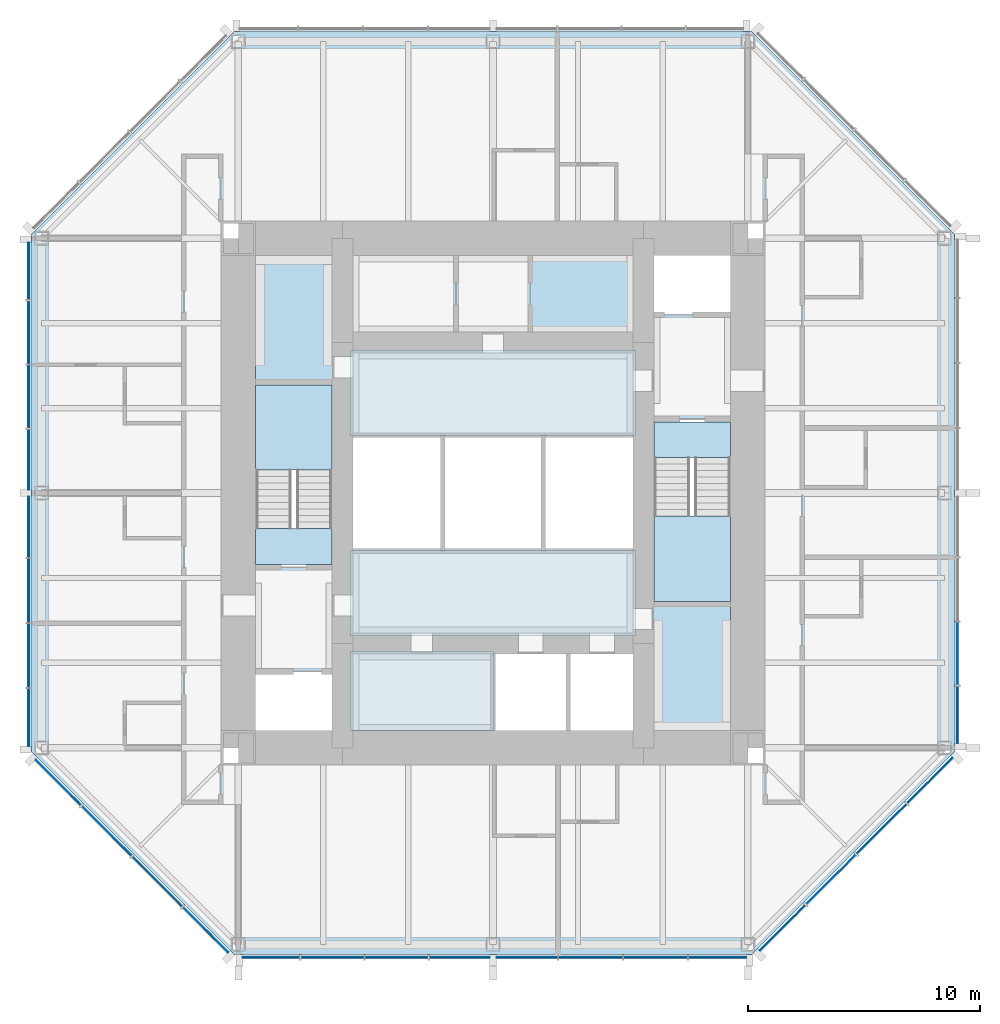
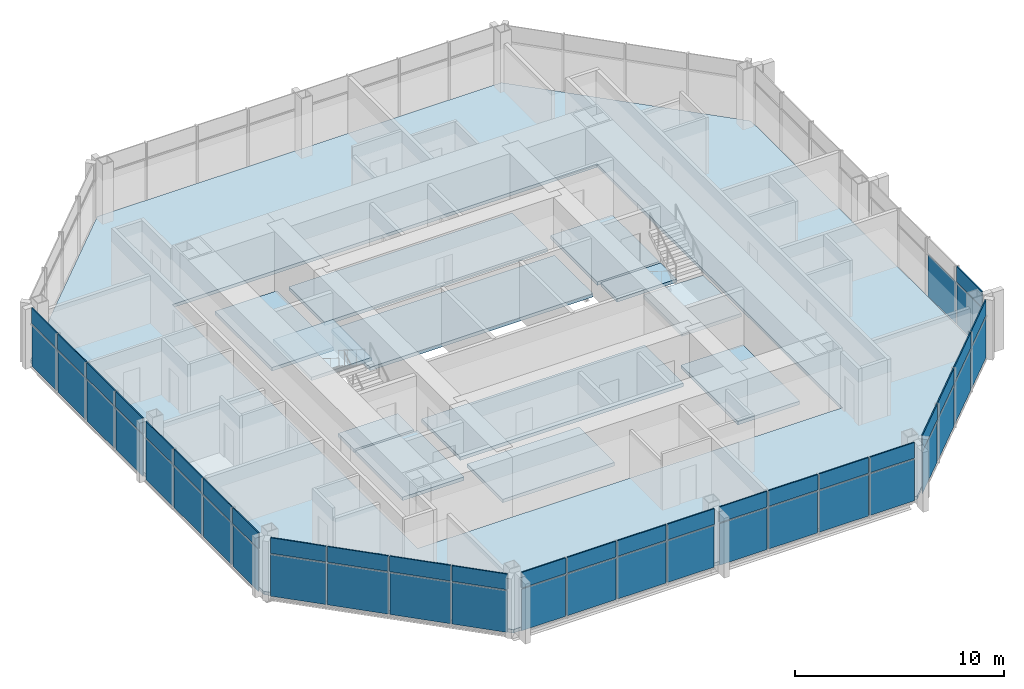
# One storey, part 6 of 11: 51 plates, 13 slabs, 7 elements without a shape of their own.
"""IFC4 building model written with IfcOpenShell, lengths in metres."""

from ifc_helpers import new_model, si_unit, direction, frame, origin, origin_2d, place, context, subcontext, project, spatial, polyline, rectangle, outline, extrude, material, layer, layer_set, type_object, element, aggregate, save


model = new_model("IFC4")

# Units and contexts
model_context = context("Model", 3, precision=1e-05, world=origin(), true_north=direction((0.0, 1.0)))
body_context = subcontext(model_context, "Body", "Model", "MODEL_VIEW")
ifc_project = project(units=[si_unit("LENGTHUNIT", "METRE"), si_unit("AREAUNIT", "SQUARE_METRE"), si_unit("VOLUMEUNIT", "CUBIC_METRE"), si_unit("PLANEANGLEUNIT", "RADIAN"), si_unit("MASSUNIT", "GRAM", prefix="KILO")], contexts=[model_context])

# Site, building, storey
site_placement = place(None, origin())
site = spatial("IfcSite", under=ifc_project, at=site_placement, CompositionType="ELEMENT")
building_placement = place(site_placement, origin())
building = spatial("IfcBuilding", under=site, at=building_placement, Name="Trevanion Tower", CompositionType="ELEMENT")
storey_placement = place(building_placement, frame((0.0, 0.0, 250.199951171875)))
storey = spatial("IfcBuildingStorey", under=building, at=storey_placement, Name="L61", CompositionType="ELEMENT", Elevation=250.199951171875)

# Curtain wall, plate
ifc_material_1 = material(Name="Aluminium and glass", Category="aluminium")
curtain_wall_type = type_object("IfcCurtainWallType", Name="CW3 curtain wall", PredefinedType="USERDEFINED", material=ifc_material_1)
curtain_wall_1_placement = place(storey_placement, origin())
curtain_wall_1 = element("IfcCurtainWall", 1, at=curtain_wall_1_placement, inside=storey, type_object=curtain_wall_type, Name="CW3 L61 0", ObjectType="UNITISED CURTAIN WALL", PredefinedType="USERDEFINED")
ifc_material_2 = material(Name="Aluminium spandrel panel", Category="aluminium")
ifc_layer_1 = layer(ifc_material_2, 0.06005859375)
ifc_layer_set_1 = layer_set([ifc_layer_1], Name="CW3 spandrel panel")
plate_type_1 = type_object("IfcPlateType", Name="CW3 spandrel panel", PredefinedType="CURTAIN_PANEL", material=ifc_layer_set_1)
plate_1_placement = place(storey_placement, frame((20.050048828125, -9.579345703125, 2.3974609375), z_axis=(0.0, 0.0, 1.0), x_axis=(0.0, 1.0, 0.0)))
plate_1 = element("IfcPlate", 2, at=plate_1_placement, type_object=plate_type_1, Name="CW3 panel 1.2", PredefinedType="CURTAIN_PANEL", context=body_context, shape_type="SweptSolid", body=[
    extrude(rectangle(XDim=2.43701171875, YDim=0.06005859375, at=origin_2d()), origin(), (0.0, 0.0, 1.0), 0.91259765625),
])

# Curtain wall, plates
curtain_wall_2_placement = place(storey_placement, origin())
curtain_wall_2 = element("IfcCurtainWall", 3, at=curtain_wall_2_placement, inside=storey, type_object=curtain_wall_type, Name="CW3 L61 4", ObjectType="UNITISED CURTAIN WALL", PredefinedType="USERDEFINED")
plate_2_placement = place(storey_placement, frame((-20.050048828125, 9.579345703125, 2.3974609375), z_axis=(0.0, 0.0, 1.0), x_axis=(0.0, -1.0, 0.0)))
plate_2 = element("IfcPlate", 4, at=plate_2_placement, type_object=plate_type_1, Name="CW3 panel 1.2", PredefinedType="CURTAIN_PANEL", context=body_context, shape_type="SweptSolid", body=[
    extrude(rectangle(XDim=2.43701171875, YDim=0.06005859375, at=origin_2d()), origin(), (0.0, 0.0, 1.0), 0.91259765625),
])
plate_3_placement = place(storey_placement, frame((-20.050048828125, 6.93603515625, 2.3974609375), z_axis=(0.0, 0.0, 1.0), x_axis=(0.0, -1.0, 0.0)))
plate_3 = element("IfcPlate", 5, at=plate_3_placement, type_object=plate_type_1, Name="CW3 panel 2.2", PredefinedType="CURTAIN_PANEL", context=body_context, shape_type="SweptSolid", body=[
    extrude(rectangle(XDim=2.699462890625, YDim=0.06005859375, at=origin_2d()), origin(), (0.0, 0.0, 1.0), 0.91259765625),
])
plate_4_placement = place(storey_placement, frame((-20.050048828125, 4.16162109375, 2.3974609375), z_axis=(0.0, 0.0, 1.0), x_axis=(0.0, -1.0, 0.0)))
plate_4 = element("IfcPlate", 6, at=plate_4_placement, type_object=plate_type_1, Name="CW3 panel 3.2", PredefinedType="CURTAIN_PANEL", context=body_context, shape_type="SweptSolid", body=[
    extrude(rectangle(XDim=2.699462890625, YDim=0.06005859375, at=origin_2d()), origin(), (0.0, 0.0, 1.0), 0.91259765625),
])
plate_5_placement = place(storey_placement, frame((-20.050048828125, 1.443603515625, 2.3974609375), z_axis=(0.0, 0.0, 1.0), x_axis=(0.0, -1.0, 0.0)))
plate_5 = element("IfcPlate", 7, at=plate_5_placement, type_object=plate_type_1, Name="CW3 panel 4.2", PredefinedType="CURTAIN_PANEL", context=body_context, shape_type="SweptSolid", body=[
    extrude(rectangle(XDim=2.5869140625, YDim=0.06005859375, at=origin_2d()), origin(), (0.0, 0.0, 1.0), 0.91259765625),
])
plate_6_placement = place(storey_placement, frame((-20.050048828125, -1.459716796875, 2.3974609375), z_axis=(0.0, 0.0, 1.0), x_axis=(0.0, -1.0, 0.0)))
plate_6 = element("IfcPlate", 8, at=plate_6_placement, type_object=plate_type_1, Name="CW3 panel 5.2", PredefinedType="CURTAIN_PANEL", context=body_context, shape_type="SweptSolid", body=[
    extrude(rectangle(XDim=2.619384765625, YDim=0.06005859375, at=origin_2d()), origin(), (0.0, 0.0, 1.0), 0.91259765625),
])
plate_7_placement = place(storey_placement, frame((-20.050048828125, -4.21044921875, 2.3974609375), z_axis=(0.0, 0.0, 1.0), x_axis=(0.0, -1.0, 0.0)))
plate_7 = element("IfcPlate", 9, at=plate_7_placement, type_object=plate_type_1, Name="CW3 panel 6.2", PredefinedType="CURTAIN_PANEL", context=body_context, shape_type="SweptSolid", body=[
    extrude(rectangle(XDim=2.73193359375, YDim=0.06005859375, at=origin_2d()), origin(), (0.0, 0.0, 1.0), 0.91259765625),
])
plate_8_placement = place(storey_placement, frame((-20.050048828125, -7.017333984375, 2.3974609375), z_axis=(0.0, 0.0, 1.0), x_axis=(0.0, -1.0, 0.0)))
plate_8 = element("IfcPlate", 10, at=plate_8_placement, type_object=plate_type_1, Name="CW3 panel 7.2", PredefinedType="CURTAIN_PANEL", context=body_context, shape_type="SweptSolid", body=[
    extrude(rectangle(XDim=2.73193359375, YDim=0.06005859375, at=origin_2d()), origin(), (0.0, 0.0, 1.0), 0.91259765625),
])
plate_9_placement = place(storey_placement, frame((-20.050048828125, -9.693115234375, 2.3974609375), z_axis=(0.0, 0.0, 1.0), x_axis=(0.0, -1.0, 0.0)))
plate_9 = element("IfcPlate", 11, at=plate_9_placement, type_object=plate_type_1, Name="CW3 panel 8.2", PredefinedType="CURTAIN_PANEL", context=body_context, shape_type="SweptSolid", body=[
    extrude(rectangle(XDim=2.469482421875, YDim=0.06005859375, at=origin_2d()), origin(), (0.0, 0.0, 1.0), 0.91259765625),
])

curtain_wall_3_placement = place(storey_placement, origin())
curtain_wall_3 = element("IfcCurtainWall", 12, at=curtain_wall_3_placement, inside=storey, type_object=curtain_wall_type, Name="CW3 L61 5", ObjectType="UNITISED CURTAIN WALL", PredefinedType="USERDEFINED")
plate_10_placement = place(storey_placement, frame((-18.77392578125, -12.50390625, 2.3974609375), z_axis=(0.0, 0.0, 1.0), x_axis=(0.707106781187, -0.707106781187, 0.0)))
plate_10 = element("IfcPlate", 13, at=plate_10_placement, type_object=plate_type_1, Name="CW3 panel 1.2", PredefinedType="CURTAIN_PANEL", context=body_context, shape_type="SweptSolid", body=[
    extrude(rectangle(XDim=2.7490234375, YDim=0.06005859375, at=origin_2d()), origin(), (0.0, 0.0, 1.0), 0.91259765625),
])
plate_11_placement = place(storey_placement, frame((-16.68408203125, -14.593505859375, 2.3974609375), z_axis=(0.0, 0.0, 1.0), x_axis=(0.707106781187, -0.707106781187, 0.0)))
plate_11 = element("IfcPlate", 14, at=plate_11_placement, type_object=plate_type_1, Name="CW3 panel 2.2", PredefinedType="CURTAIN_PANEL", context=body_context, shape_type="SweptSolid", body=[
    extrude(rectangle(XDim=3.01171875, YDim=0.06005859375, at=origin_2d()), origin(), (0.0, 0.0, 1.0), 0.91259765625),
])
plate_12_placement = place(storey_placement, frame((-14.501708984375, -16.776123046875, 2.3974609375), z_axis=(0.0, 0.0, 1.0), x_axis=(0.707106781187, -0.707106781187, 0.0)))
plate_12 = element("IfcPlate", 15, at=plate_12_placement, type_object=plate_type_1, Name="CW3 panel 3.2", PredefinedType="CURTAIN_PANEL", context=body_context, shape_type="SweptSolid", body=[
    extrude(rectangle(XDim=3.01171875, YDim=0.06005859375, at=origin_2d()), origin(), (0.0, 0.0, 1.0), 0.91259765625),
])
plate_13_placement = place(storey_placement, frame((-12.411865234375, -18.865966796875, 2.3974609375), z_axis=(0.0, 0.0, 1.0), x_axis=(0.707106781187, -0.707106781187, 0.0)))
plate_13 = element("IfcPlate", 16, at=plate_13_placement, type_object=plate_type_1, Name="CW3 panel 4.2", PredefinedType="CURTAIN_PANEL", context=body_context, shape_type="SweptSolid", body=[
    extrude(rectangle(XDim=2.7490234375, YDim=0.06005859375, at=origin_2d()), origin(), (0.0, 0.0, 1.0), 0.91259765625),
])

curtain_wall_4_placement = place(storey_placement, origin())
curtain_wall_4 = element("IfcCurtainWall", 17, at=curtain_wall_4_placement, inside=storey, type_object=curtain_wall_type, Name="CW3 L61 6", ObjectType="UNITISED CURTAIN WALL", PredefinedType="USERDEFINED")
plate_14_placement = place(storey_placement, frame((-9.579345703125, -20.050048828125, 2.3974609375), z_axis=(0.0, 0.0, 1.0), x_axis=(1.0, 0.0, 0.0)))
plate_14 = element("IfcPlate", 18, at=plate_14_placement, type_object=plate_type_1, Name="CW3 panel 1.2", PredefinedType="CURTAIN_PANEL", context=body_context, shape_type="SweptSolid", body=[
    extrude(rectangle(XDim=2.43701171875, YDim=0.06005859375, at=origin_2d()), origin(), (0.0, 0.0, 1.0), 0.91259765625),
])
plate_15_placement = place(storey_placement, frame((-6.93603515625, -20.050048828125, 2.3974609375), z_axis=(0.0, 0.0, 1.0), x_axis=(1.0, 0.0, 0.0)))
plate_15 = element("IfcPlate", 19, at=plate_15_placement, type_object=plate_type_1, Name="CW3 panel 2.2", PredefinedType="CURTAIN_PANEL", context=body_context, shape_type="SweptSolid", body=[
    extrude(rectangle(XDim=2.699462890625, YDim=0.06005859375, at=origin_2d()), origin(), (0.0, 0.0, 1.0), 0.91259765625),
])
plate_16_placement = place(storey_placement, frame((-4.16162109375, -20.050048828125, 2.3974609375), z_axis=(0.0, 0.0, 1.0), x_axis=(1.0, 0.0, 0.0)))
plate_16 = element("IfcPlate", 20, at=plate_16_placement, type_object=plate_type_1, Name="CW3 panel 3.2", PredefinedType="CURTAIN_PANEL", context=body_context, shape_type="SweptSolid", body=[
    extrude(rectangle(XDim=2.699462890625, YDim=0.06005859375, at=origin_2d()), origin(), (0.0, 0.0, 1.0), 0.91259765625),
])
plate_17_placement = place(storey_placement, frame((-1.443603515625, -20.050048828125, 2.3974609375), z_axis=(0.0, 0.0, 1.0), x_axis=(1.0, 0.0, 0.0)))
plate_17 = element("IfcPlate", 21, at=plate_17_placement, type_object=plate_type_1, Name="CW3 panel 4.2", PredefinedType="CURTAIN_PANEL", context=body_context, shape_type="SweptSolid", body=[
    extrude(rectangle(XDim=2.5869140625, YDim=0.06005859375, at=origin_2d()), origin(), (0.0, 0.0, 1.0), 0.91259765625),
])
plate_18_placement = place(storey_placement, frame((1.459716796875, -20.050048828125, 2.3974609375), z_axis=(0.0, 0.0, 1.0), x_axis=(1.0, 0.0, 0.0)))
plate_18 = element("IfcPlate", 22, at=plate_18_placement, type_object=plate_type_1, Name="CW3 panel 5.2", PredefinedType="CURTAIN_PANEL", context=body_context, shape_type="SweptSolid", body=[
    extrude(rectangle(XDim=2.619384765625, YDim=0.06005859375, at=origin_2d()), origin(), (0.0, 0.0, 1.0), 0.91259765625),
])
plate_19_placement = place(storey_placement, frame((4.21044921875, -20.050048828125, 2.3974609375), z_axis=(0.0, 0.0, 1.0), x_axis=(1.0, 0.0, 0.0)))
plate_19 = element("IfcPlate", 23, at=plate_19_placement, type_object=plate_type_1, Name="CW3 panel 6.2", PredefinedType="CURTAIN_PANEL", context=body_context, shape_type="SweptSolid", body=[
    extrude(rectangle(XDim=2.73193359375, YDim=0.06005859375, at=origin_2d()), origin(), (0.0, 0.0, 1.0), 0.91259765625),
])
plate_20_placement = place(storey_placement, frame((7.017333984375, -20.050048828125, 2.3974609375), z_axis=(0.0, 0.0, 1.0), x_axis=(1.0, 0.0, 0.0)))
plate_20 = element("IfcPlate", 24, at=plate_20_placement, type_object=plate_type_1, Name="CW3 panel 7.2", PredefinedType="CURTAIN_PANEL", context=body_context, shape_type="SweptSolid", body=[
    extrude(rectangle(XDim=2.73193359375, YDim=0.06005859375, at=origin_2d()), origin(), (0.0, 0.0, 1.0), 0.91259765625),
])
plate_21_placement = place(storey_placement, frame((9.693115234375, -20.050048828125, 2.3974609375), z_axis=(0.0, 0.0, 1.0), x_axis=(1.0, 0.0, 0.0)))
plate_21 = element("IfcPlate", 25, at=plate_21_placement, type_object=plate_type_1, Name="CW3 panel 8.2", PredefinedType="CURTAIN_PANEL", context=body_context, shape_type="SweptSolid", body=[
    extrude(rectangle(XDim=2.469482421875, YDim=0.06005859375, at=origin_2d()), origin(), (0.0, 0.0, 1.0), 0.91259765625),
])

curtain_wall_5_placement = place(storey_placement, origin())
curtain_wall_5 = element("IfcCurtainWall", 26, at=curtain_wall_5_placement, inside=storey, type_object=curtain_wall_type, Name="CW3 L61 7", ObjectType="UNITISED CURTAIN WALL", PredefinedType="USERDEFINED")
plate_22_placement = place(storey_placement, frame((12.50390625, -18.77392578125, 2.3974609375), z_axis=(0.0, 0.0, 1.0), x_axis=(0.707106781187, 0.707106781187, 0.0)))
plate_22 = element("IfcPlate", 27, at=plate_22_placement, type_object=plate_type_1, Name="CW3 panel 1.2", PredefinedType="CURTAIN_PANEL", context=body_context, shape_type="SweptSolid", body=[
    extrude(rectangle(XDim=2.7490234375, YDim=0.06005859375, at=origin_2d()), origin(), (0.0, 0.0, 1.0), 0.91259765625),
])
plate_23_placement = place(storey_placement, frame((14.593505859375, -16.68408203125, 2.3974609375), z_axis=(0.0, 0.0, 1.0), x_axis=(0.707106781187, 0.707106781187, 0.0)))
plate_23 = element("IfcPlate", 28, at=plate_23_placement, type_object=plate_type_1, Name="CW3 panel 2.2", PredefinedType="CURTAIN_PANEL", context=body_context, shape_type="SweptSolid", body=[
    extrude(rectangle(XDim=3.01171875, YDim=0.06005859375, at=origin_2d()), origin(), (0.0, 0.0, 1.0), 0.91259765625),
])
plate_24_placement = place(storey_placement, frame((16.776123046875, -14.501708984375, 2.3974609375), z_axis=(0.0, 0.0, 1.0), x_axis=(0.707106781187, 0.707106781187, 0.0)))
plate_24 = element("IfcPlate", 29, at=plate_24_placement, type_object=plate_type_1, Name="CW3 panel 3.2", PredefinedType="CURTAIN_PANEL", context=body_context, shape_type="SweptSolid", body=[
    extrude(rectangle(XDim=3.01171875, YDim=0.06005859375, at=origin_2d()), origin(), (0.0, 0.0, 1.0), 0.91259765625),
])
plate_25_placement = place(storey_placement, frame((18.865966796875, -12.411865234375, 2.3974609375), z_axis=(0.0, 0.0, 1.0), x_axis=(0.707106781187, 0.707106781187, 0.0)))
plate_25 = element("IfcPlate", 30, at=plate_25_placement, type_object=plate_type_1, Name="CW3 panel 4.2", PredefinedType="CURTAIN_PANEL", context=body_context, shape_type="SweptSolid", body=[
    extrude(rectangle(XDim=2.7490234375, YDim=0.06005859375, at=origin_2d()), origin(), (0.0, 0.0, 1.0), 0.91259765625),
])

# Plate
ifc_material_3 = material(Name="Insulating glass unit", Category="glass")
ifc_layer_2 = layer(ifc_material_3, 0.028076171875)
ifc_layer_set_2 = layer_set([ifc_layer_2], Name="CW3 vision panel")
plate_type_2 = type_object("IfcPlateType", Name="CW3 vision panel", PredefinedType="CURTAIN_PANEL", material=ifc_layer_set_2)
plate_26_placement = place(storey_placement, frame((20.050048828125, -9.579345703125, -0.114990234375), z_axis=(0.0, 0.0, 1.0), x_axis=(0.0, 1.0, 0.0)))
plate_26 = element("IfcPlate", 31, at=plate_26_placement, type_object=plate_type_2, Name="CW3 panel 1.1", PredefinedType="CURTAIN_PANEL", context=body_context, shape_type="SweptSolid", body=[
    extrude(rectangle(XDim=2.43701171875, YDim=0.028076171875, at=origin_2d()), origin(), (0.0, 0.0, 1.0), 2.4375),
])

plate_27_placement = place(storey_placement, frame((20.050048828125, -6.93603515625, -0.114990234375), z_axis=(0.0, 0.0, 1.0), x_axis=(0.0, 1.0, 0.0)))
plate_27 = element("IfcPlate", 32, at=plate_27_placement, type_object=plate_type_2, Name="CW3 panel 2.1", PredefinedType="CURTAIN_PANEL", context=body_context, shape_type="SweptSolid", body=[
    extrude(rectangle(XDim=2.699462890625, YDim=0.028076171875, at=origin_2d()), origin(), (0.0, 0.0, 1.0), 2.4375),
])

aggregate(curtain_wall_1, [plate_26, plate_1, plate_27])

plate_28_placement = place(storey_placement, frame((-20.050048828125, 9.579345703125, -0.114990234375), z_axis=(0.0, 0.0, 1.0), x_axis=(0.0, -1.0, 0.0)))
plate_28 = element("IfcPlate", 33, at=plate_28_placement, type_object=plate_type_2, Name="CW3 panel 1.1", PredefinedType="CURTAIN_PANEL", context=body_context, shape_type="SweptSolid", body=[
    extrude(rectangle(XDim=2.43701171875, YDim=0.028076171875, at=origin_2d()), origin(), (0.0, 0.0, 1.0), 2.4375),
])

plate_29_placement = place(storey_placement, frame((-20.050048828125, 6.93603515625, -0.114990234375), z_axis=(0.0, 0.0, 1.0), x_axis=(0.0, -1.0, 0.0)))
plate_29 = element("IfcPlate", 34, at=plate_29_placement, type_object=plate_type_2, Name="CW3 panel 2.1", PredefinedType="CURTAIN_PANEL", context=body_context, shape_type="SweptSolid", body=[
    extrude(rectangle(XDim=2.699462890625, YDim=0.028076171875, at=origin_2d()), origin(), (0.0, 0.0, 1.0), 2.4375),
])

plate_30_placement = place(storey_placement, frame((-20.050048828125, 4.16162109375, -0.114990234375), z_axis=(0.0, 0.0, 1.0), x_axis=(0.0, -1.0, 0.0)))
plate_30 = element("IfcPlate", 35, at=plate_30_placement, type_object=plate_type_2, Name="CW3 panel 3.1", PredefinedType="CURTAIN_PANEL", context=body_context, shape_type="SweptSolid", body=[
    extrude(rectangle(XDim=2.699462890625, YDim=0.028076171875, at=origin_2d()), origin(), (0.0, 0.0, 1.0), 2.4375),
])

plate_31_placement = place(storey_placement, frame((-20.050048828125, 1.443603515625, -0.114990234375), z_axis=(0.0, 0.0, 1.0), x_axis=(0.0, -1.0, 0.0)))
plate_31 = element("IfcPlate", 36, at=plate_31_placement, type_object=plate_type_2, Name="CW3 panel 4.1", PredefinedType="CURTAIN_PANEL", context=body_context, shape_type="SweptSolid", body=[
    extrude(rectangle(XDim=2.5869140625, YDim=0.028076171875, at=origin_2d()), origin(), (0.0, 0.0, 1.0), 2.4375),
])

plate_32_placement = place(storey_placement, frame((-20.050048828125, -1.459716796875, -0.114990234375), z_axis=(0.0, 0.0, 1.0), x_axis=(0.0, -1.0, 0.0)))
plate_32 = element("IfcPlate", 37, at=plate_32_placement, type_object=plate_type_2, Name="CW3 panel 5.1", PredefinedType="CURTAIN_PANEL", context=body_context, shape_type="SweptSolid", body=[
    extrude(rectangle(XDim=2.619384765625, YDim=0.028076171875, at=origin_2d()), origin(), (0.0, 0.0, 1.0), 2.4375),
])

plate_33_placement = place(storey_placement, frame((-20.050048828125, -4.21044921875, -0.114990234375), z_axis=(0.0, 0.0, 1.0), x_axis=(0.0, -1.0, 0.0)))
plate_33 = element("IfcPlate", 38, at=plate_33_placement, type_object=plate_type_2, Name="CW3 panel 6.1", PredefinedType="CURTAIN_PANEL", context=body_context, shape_type="SweptSolid", body=[
    extrude(rectangle(XDim=2.73193359375, YDim=0.028076171875, at=origin_2d()), origin(), (0.0, 0.0, 1.0), 2.4375),
])

plate_34_placement = place(storey_placement, frame((-20.050048828125, -7.017333984375, -0.114990234375), z_axis=(0.0, 0.0, 1.0), x_axis=(0.0, -1.0, 0.0)))
plate_34 = element("IfcPlate", 39, at=plate_34_placement, type_object=plate_type_2, Name="CW3 panel 7.1", PredefinedType="CURTAIN_PANEL", context=body_context, shape_type="SweptSolid", body=[
    extrude(rectangle(XDim=2.73193359375, YDim=0.028076171875, at=origin_2d()), origin(), (0.0, 0.0, 1.0), 2.4375),
])

plate_35_placement = place(storey_placement, frame((-20.050048828125, -9.693115234375, -0.114990234375), z_axis=(0.0, 0.0, 1.0), x_axis=(0.0, -1.0, 0.0)))
plate_35 = element("IfcPlate", 40, at=plate_35_placement, type_object=plate_type_2, Name="CW3 panel 8.1", PredefinedType="CURTAIN_PANEL", context=body_context, shape_type="SweptSolid", body=[
    extrude(rectangle(XDim=2.469482421875, YDim=0.028076171875, at=origin_2d()), origin(), (0.0, 0.0, 1.0), 2.4375),
])

aggregate(curtain_wall_2, [plate_28, plate_2, plate_29, plate_3, plate_30, plate_4, plate_31, plate_5, plate_32, plate_6, plate_33, plate_7, plate_34, plate_8, plate_35, plate_9])

plate_36_placement = place(storey_placement, frame((-18.77392578125, -12.50390625, -0.114990234375), z_axis=(0.0, 0.0, 1.0), x_axis=(0.707106781187, -0.707106781187, 0.0)))
plate_36 = element("IfcPlate", 41, at=plate_36_placement, type_object=plate_type_2, Name="CW3 panel 1.1", PredefinedType="CURTAIN_PANEL", context=body_context, shape_type="SweptSolid", body=[
    extrude(rectangle(XDim=2.7490234375, YDim=0.028076171875, at=origin_2d()), origin(), (0.0, 0.0, 1.0), 2.4375),
])

plate_37_placement = place(storey_placement, frame((-16.68408203125, -14.593505859375, -0.114990234375), z_axis=(0.0, 0.0, 1.0), x_axis=(0.707106781187, -0.707106781187, 0.0)))
plate_37 = element("IfcPlate", 42, at=plate_37_placement, type_object=plate_type_2, Name="CW3 panel 2.1", PredefinedType="CURTAIN_PANEL", context=body_context, shape_type="SweptSolid", body=[
    extrude(rectangle(XDim=3.01171875, YDim=0.028076171875, at=origin_2d()), origin(), (0.0, 0.0, 1.0), 2.4375),
])

plate_38_placement = place(storey_placement, frame((-14.501708984375, -16.776123046875, -0.114990234375), z_axis=(0.0, 0.0, 1.0), x_axis=(0.707106781187, -0.707106781187, 0.0)))
plate_38 = element("IfcPlate", 43, at=plate_38_placement, type_object=plate_type_2, Name="CW3 panel 3.1", PredefinedType="CURTAIN_PANEL", context=body_context, shape_type="SweptSolid", body=[
    extrude(rectangle(XDim=3.01171875, YDim=0.028076171875, at=origin_2d()), origin(), (0.0, 0.0, 1.0), 2.4375),
])

plate_39_placement = place(storey_placement, frame((-12.411865234375, -18.865966796875, -0.114990234375), z_axis=(0.0, 0.0, 1.0), x_axis=(0.707106781187, -0.707106781187, 0.0)))
plate_39 = element("IfcPlate", 44, at=plate_39_placement, type_object=plate_type_2, Name="CW3 panel 4.1", PredefinedType="CURTAIN_PANEL", context=body_context, shape_type="SweptSolid", body=[
    extrude(rectangle(XDim=2.7490234375, YDim=0.028076171875, at=origin_2d()), origin(), (0.0, 0.0, 1.0), 2.4375),
])

aggregate(curtain_wall_3, [plate_36, plate_10, plate_37, plate_11, plate_38, plate_12, plate_39, plate_13])

plate_40_placement = place(storey_placement, frame((-9.579345703125, -20.050048828125, -0.114990234375), z_axis=(0.0, 0.0, 1.0), x_axis=(1.0, 0.0, 0.0)))
plate_40 = element("IfcPlate", 45, at=plate_40_placement, type_object=plate_type_2, Name="CW3 panel 1.1", PredefinedType="CURTAIN_PANEL", context=body_context, shape_type="SweptSolid", body=[
    extrude(rectangle(XDim=2.43701171875, YDim=0.028076171875, at=origin_2d()), origin(), (0.0, 0.0, 1.0), 2.4375),
])

plate_41_placement = place(storey_placement, frame((-6.93603515625, -20.050048828125, -0.114990234375), z_axis=(0.0, 0.0, 1.0), x_axis=(1.0, 0.0, 0.0)))
plate_41 = element("IfcPlate", 46, at=plate_41_placement, type_object=plate_type_2, Name="CW3 panel 2.1", PredefinedType="CURTAIN_PANEL", context=body_context, shape_type="SweptSolid", body=[
    extrude(rectangle(XDim=2.699462890625, YDim=0.028076171875, at=origin_2d()), origin(), (0.0, 0.0, 1.0), 2.4375),
])

plate_42_placement = place(storey_placement, frame((-4.16162109375, -20.050048828125, -0.114990234375), z_axis=(0.0, 0.0, 1.0), x_axis=(1.0, 0.0, 0.0)))
plate_42 = element("IfcPlate", 47, at=plate_42_placement, type_object=plate_type_2, Name="CW3 panel 3.1", PredefinedType="CURTAIN_PANEL", context=body_context, shape_type="SweptSolid", body=[
    extrude(rectangle(XDim=2.699462890625, YDim=0.028076171875, at=origin_2d()), origin(), (0.0, 0.0, 1.0), 2.4375),
])

plate_43_placement = place(storey_placement, frame((-1.443603515625, -20.050048828125, -0.114990234375), z_axis=(0.0, 0.0, 1.0), x_axis=(1.0, 0.0, 0.0)))
plate_43 = element("IfcPlate", 48, at=plate_43_placement, type_object=plate_type_2, Name="CW3 panel 4.1", PredefinedType="CURTAIN_PANEL", context=body_context, shape_type="SweptSolid", body=[
    extrude(rectangle(XDim=2.5869140625, YDim=0.028076171875, at=origin_2d()), origin(), (0.0, 0.0, 1.0), 2.4375),
])

plate_44_placement = place(storey_placement, frame((1.459716796875, -20.050048828125, -0.114990234375), z_axis=(0.0, 0.0, 1.0), x_axis=(1.0, 0.0, 0.0)))
plate_44 = element("IfcPlate", 49, at=plate_44_placement, type_object=plate_type_2, Name="CW3 panel 5.1", PredefinedType="CURTAIN_PANEL", context=body_context, shape_type="SweptSolid", body=[
    extrude(rectangle(XDim=2.619384765625, YDim=0.028076171875, at=origin_2d()), origin(), (0.0, 0.0, 1.0), 2.4375),
])

plate_45_placement = place(storey_placement, frame((4.21044921875, -20.050048828125, -0.114990234375), z_axis=(0.0, 0.0, 1.0), x_axis=(1.0, 0.0, 0.0)))
plate_45 = element("IfcPlate", 50, at=plate_45_placement, type_object=plate_type_2, Name="CW3 panel 6.1", PredefinedType="CURTAIN_PANEL", context=body_context, shape_type="SweptSolid", body=[
    extrude(rectangle(XDim=2.73193359375, YDim=0.028076171875, at=origin_2d()), origin(), (0.0, 0.0, 1.0), 2.4375),
])

plate_46_placement = place(storey_placement, frame((7.017333984375, -20.050048828125, -0.114990234375), z_axis=(0.0, 0.0, 1.0), x_axis=(1.0, 0.0, 0.0)))
plate_46 = element("IfcPlate", 51, at=plate_46_placement, type_object=plate_type_2, Name="CW3 panel 7.1", PredefinedType="CURTAIN_PANEL", context=body_context, shape_type="SweptSolid", body=[
    extrude(rectangle(XDim=2.73193359375, YDim=0.028076171875, at=origin_2d()), origin(), (0.0, 0.0, 1.0), 2.4375),
])

plate_47_placement = place(storey_placement, frame((9.693115234375, -20.050048828125, -0.114990234375), z_axis=(0.0, 0.0, 1.0), x_axis=(1.0, 0.0, 0.0)))
plate_47 = element("IfcPlate", 52, at=plate_47_placement, type_object=plate_type_2, Name="CW3 panel 8.1", PredefinedType="CURTAIN_PANEL", context=body_context, shape_type="SweptSolid", body=[
    extrude(rectangle(XDim=2.469482421875, YDim=0.028076171875, at=origin_2d()), origin(), (0.0, 0.0, 1.0), 2.4375),
])

aggregate(curtain_wall_4, [plate_40, plate_14, plate_41, plate_15, plate_42, plate_16, plate_43, plate_17, plate_44, plate_18, plate_45, plate_19, plate_46, plate_20, plate_47, plate_21])

plate_48_placement = place(storey_placement, frame((12.50390625, -18.77392578125, -0.114990234375), z_axis=(0.0, 0.0, 1.0), x_axis=(0.707106781187, 0.707106781187, 0.0)))
plate_48 = element("IfcPlate", 53, at=plate_48_placement, type_object=plate_type_2, Name="CW3 panel 1.1", PredefinedType="CURTAIN_PANEL", context=body_context, shape_type="SweptSolid", body=[
    extrude(rectangle(XDim=2.7490234375, YDim=0.028076171875, at=origin_2d()), origin(), (0.0, 0.0, 1.0), 2.4375),
])

plate_49_placement = place(storey_placement, frame((14.593505859375, -16.68408203125, -0.114990234375), z_axis=(0.0, 0.0, 1.0), x_axis=(0.707106781187, 0.707106781187, 0.0)))
plate_49 = element("IfcPlate", 54, at=plate_49_placement, type_object=plate_type_2, Name="CW3 panel 2.1", PredefinedType="CURTAIN_PANEL", context=body_context, shape_type="SweptSolid", body=[
    extrude(rectangle(XDim=3.01171875, YDim=0.028076171875, at=origin_2d()), origin(), (0.0, 0.0, 1.0), 2.4375),
])

plate_50_placement = place(storey_placement, frame((16.776123046875, -14.501708984375, -0.114990234375), z_axis=(0.0, 0.0, 1.0), x_axis=(0.707106781187, 0.707106781187, 0.0)))
plate_50 = element("IfcPlate", 55, at=plate_50_placement, type_object=plate_type_2, Name="CW3 panel 3.1", PredefinedType="CURTAIN_PANEL", context=body_context, shape_type="SweptSolid", body=[
    extrude(rectangle(XDim=3.01171875, YDim=0.028076171875, at=origin_2d()), origin(), (0.0, 0.0, 1.0), 2.4375),
])

plate_51_placement = place(storey_placement, frame((18.865966796875, -12.411865234375, -0.114990234375), z_axis=(0.0, 0.0, 1.0), x_axis=(0.707106781187, 0.707106781187, 0.0)))
plate_51 = element("IfcPlate", 56, at=plate_51_placement, type_object=plate_type_2, Name="CW3 panel 4.1", PredefinedType="CURTAIN_PANEL", context=body_context, shape_type="SweptSolid", body=[
    extrude(rectangle(XDim=2.7490234375, YDim=0.028076171875, at=origin_2d()), origin(), (0.0, 0.0, 1.0), 2.4375),
])

aggregate(curtain_wall_5, [plate_48, plate_22, plate_49, plate_23, plate_50, plate_24, plate_51, plate_25])

# Slabs
ifc_material_4 = material(Name="Concrete 5,000 psi on composite metal deck", Category="concrete")
ifc_layer_3 = layer(ifc_material_4, 0.18994140625)
ifc_layer_set_3 = layer_set([ifc_layer_3], Name="SL1 composite floor 190")
slab_type_1 = type_object("IfcSlabType", Name="SL1 composite floor 190", PredefinedType="FLOOR", material=ifc_layer_set_3)
slab_1_placement = place(storey_placement, frame((0.0, 0.0, -0.18994140625)))
element("IfcSlab", 57, at=slab_1_placement, inside=storey, type_object=slab_type_1, Name="SL1 L61 floor", PredefinedType="FLOOR", context=body_context, shape_type="SweptSolid", body=[
    extrude(outline(polyline([(19.919921875, -11.174072265625), (19.919921875, 11.174072265625), (11.174072265625, 19.919921875), (-11.174072265625, 19.919921875), (-19.919921875, 11.174072265625), (-19.919921875, -11.174072265625), (-11.174072265625, -19.919921875), (11.174072265625, -19.919921875), (19.919921875, -11.174072265625)]), holes=[polyline([(11.75, -11.75), (11.75, 11.75), (-11.75, 11.75), (-11.75, -11.75), (11.75, -11.75)])]), origin(), (0.0, 0.0, 1.0), 0.18994140625),
])
ifc_material_5 = material(Name="Concrete 5,000 psi", Category="concrete")
ifc_layer_4 = layer(ifc_material_5, 0.199951171875)
ifc_layer_set_4 = layer_set([ifc_layer_4], Name="SL2 core floor 200")
slab_type_2 = type_object("IfcSlabType", Name="SL2 core floor 200", PredefinedType="FLOOR", material=ifc_layer_set_4)
slab_2_placement = place(storey_placement, frame((0.0, 0.0, -0.199951171875)))
element("IfcSlab", 58, at=slab_2_placement, inside=storey, type_object=slab_type_2, Name="SL2 L61 core floor 1", PredefinedType="FLOOR", context=body_context, shape_type="SweptSolid", body=[
    extrude(outline(polyline([(0.02001953125, -10.25), (-6.169921875, -10.25), (-6.169921875, -6.830078125), (0.02001953125, -6.830078125), (0.02001953125, -10.25)])), origin(), (0.0, 0.0, 1.0), 0.199951171875),
])
slab_3_placement = place(storey_placement, frame((0.0, 0.0, -0.199951171875)))
element("IfcSlab", 59, at=slab_3_placement, inside=storey, type_object=slab_type_2, Name="SL2 L61 core floor 2", PredefinedType="FLOOR", context=body_context, shape_type="SweptSolid", body=[
    extrude(outline(polyline([(6.830078125, -4.804931640625), (10.25, -4.804931640625), (10.25, -10.25), (6.830078125, -10.25), (6.830078125, -4.804931640625)])), origin(), (0.0, 0.0, 1.0), 0.199951171875),
])
slab_4_placement = place(storey_placement, frame((0.0, 0.0, -0.199951171875)))
element("IfcSlab", 60, at=slab_4_placement, inside=storey, type_object=slab_type_2, Name="SL2 L61 core floor 3", PredefinedType="FLOOR", context=body_context, shape_type="SweptSolid", body=[
    extrude(outline(polyline([(-6.830078125, -3.205078125), (-6.830078125, -7.695068359375), (-10.25, -7.695068359375), (-10.25, -3.205078125), (-6.830078125, -3.205078125)])), origin(), (0.0, 0.0, 1.0), 0.199951171875),
])
slab_5_placement = place(storey_placement, frame((0.0, 0.0, -0.199951171875)))
element("IfcSlab", 61, at=slab_5_placement, inside=storey, type_object=slab_type_2, Name="SL2 L61 core floor 4", PredefinedType="FLOOR", context=body_context, shape_type="SweptSolid", body=[
    extrude(outline(polyline([(6.169921875, -6.169921875), (-6.169921875, -6.169921875), (-6.169921875, -2.47998046875), (6.169921875, -2.47998046875), (6.169921875, -6.169921875)])), origin(), (0.0, 0.0, 1.0), 0.199951171875),
])
slab_6_placement = place(storey_placement, frame((0.0, 0.0, -0.199951171875)))
element("IfcSlab", 62, at=slab_6_placement, inside=storey, type_object=slab_type_2, Name="SL2 L61 core floor 5", PredefinedType="FLOOR", context=body_context, shape_type="SweptSolid", body=[
    extrude(outline(polyline([(6.169921875, 2.47998046875), (-6.169921875, 2.47998046875), (-6.169921875, 6.169921875), (6.169921875, 6.169921875), (6.169921875, 2.47998046875)])), origin(), (0.0, 0.0, 1.0), 0.199951171875),
])
slab_7_placement = place(storey_placement, frame((0.0, 0.0, -0.199951171875)))
element("IfcSlab", 63, at=slab_7_placement, inside=storey, type_object=slab_type_2, Name="SL2 L61 core floor 6", PredefinedType="FLOOR", context=body_context, shape_type="SweptSolid", body=[
    extrude(outline(polyline([(6.830078125, 3.205078125), (6.830078125, 7.695068359375), (10.25, 7.695068359375), (10.25, 3.205078125), (6.830078125, 3.205078125)])), origin(), (0.0, 0.0, 1.0), 0.199951171875),
])
slab_8_placement = place(storey_placement, frame((0.0, 0.0, -0.199951171875)))
element("IfcSlab", 64, at=slab_8_placement, inside=storey, type_object=slab_type_2, Name="SL2 L61 core floor 7", PredefinedType="FLOOR", context=body_context, shape_type="SweptSolid", body=[
    extrude(outline(polyline([(-6.830078125, 4.804931640625), (-10.25, 4.804931640625), (-10.25, 10.25), (-6.830078125, 10.25), (-6.830078125, 4.804931640625)])), origin(), (0.0, 0.0, 1.0), 0.199951171875),
])
slab_9_placement = place(storey_placement, frame((0.0, 0.0, -0.199951171875)))
element("IfcSlab", 65, at=slab_9_placement, inside=storey, type_object=slab_type_2, Name="SL2 L61 core floor 8", PredefinedType="FLOOR", context=body_context, shape_type="SweptSolid", body=[
    extrude(outline(polyline([(6.169921875, 6.830078125), (-6.169921875, 6.830078125), (-6.169921875, 10.25), (6.169921875, 10.25), (6.169921875, 6.830078125)])), origin(), (0.0, 0.0, 1.0), 0.199951171875),
])

# Stair, slabs
ifc_material_6 = material(Name="Concrete 5,000 psi on steel stringers", Category="concrete")
stair_type = type_object("IfcStairType", Name="ST stair", PredefinedType="HALF_TURN_STAIR", material=ifc_material_6)
stair_1_placement = place(storey_placement, origin())
stair_1 = element("IfcStair", 66, at=stair_1_placement, inside=storey, type_object=stair_type, Name="ST1 L61", PredefinedType="HALF_TURN_STAIR")
ifc_material_7 = material(Name="Concrete 5,000 psi in steel pan", Category="concrete")
ifc_layer_5 = layer(ifc_material_7, 0.199951171875)
ifc_layer_set_5 = layer_set([ifc_layer_5], Name="STL stair landing 200")
slab_type_3 = type_object("IfcSlabType", Name="STL stair landing 200", PredefinedType="LANDING", material=ifc_layer_set_5)
slab_10_placement = place(storey_placement, frame((0.0, 0.0, -0.199951171875)))
slab_10 = element("IfcSlab", 67, at=slab_10_placement, type_object=slab_type_3, Name="ST1 landing 1", PredefinedType="LANDING", context=body_context, shape_type="SweptSolid", body=[
    extrude(outline(polyline([(6.949951171875, 1.52490234375), (10.25, 1.52490234375), (10.25, 3.074951171875), (6.949951171875, 3.074951171875), (6.949951171875, 1.52490234375)])), origin(), (0.0, 0.0, 1.0), 0.199951171875),
])
slab_11_placement = place(storey_placement, frame((0.0, 0.0, 1.550048828125)))
slab_11 = element("IfcSlab", 68, at=slab_11_placement, type_object=slab_type_3, Name="ST1 landing 2", PredefinedType="LANDING", context=body_context, shape_type="SweptSolid", body=[
    extrude(outline(polyline([(6.949951171875, -4.675048828125), (10.25, -4.675048828125), (10.25, -0.9951171875), (6.949951171875, -0.9951171875), (6.949951171875, -4.675048828125)])), origin(), (0.0, 0.0, 1.0), 0.199951171875),
])
aggregate(stair_1, [slab_10, slab_11])

stair_2_placement = place(storey_placement, origin())
stair_2 = element("IfcStair", 69, at=stair_2_placement, inside=storey, type_object=stair_type, Name="ST2 L61", PredefinedType="HALF_TURN_STAIR")
slab_12_placement = place(storey_placement, frame((0.0, 0.0, -0.199951171875)))
slab_12 = element("IfcSlab", 70, at=slab_12_placement, type_object=slab_type_3, Name="ST2 landing 1", PredefinedType="LANDING", context=body_context, shape_type="SweptSolid", body=[
    extrude(outline(polyline([(-6.949951171875, -1.52490234375), (-10.25, -1.52490234375), (-10.25, -3.074951171875), (-6.949951171875, -3.074951171875), (-6.949951171875, -1.52490234375)])), origin(), (0.0, 0.0, 1.0), 0.199951171875),
])
slab_13_placement = place(storey_placement, frame((0.0, 0.0, 1.550048828125)))
slab_13 = element("IfcSlab", 71, at=slab_13_placement, type_object=slab_type_3, Name="ST2 landing 2", PredefinedType="LANDING", context=body_context, shape_type="SweptSolid", body=[
    extrude(outline(polyline([(-6.949951171875, 4.675048828125), (-10.25, 4.675048828125), (-10.25, 0.9951171875), (-6.949951171875, 0.9951171875), (-6.949951171875, 4.675048828125)])), origin(), (0.0, 0.0, 1.0), 0.199951171875),
])
aggregate(stair_2, [slab_12, slab_13])

save(model, "model.ifc")
